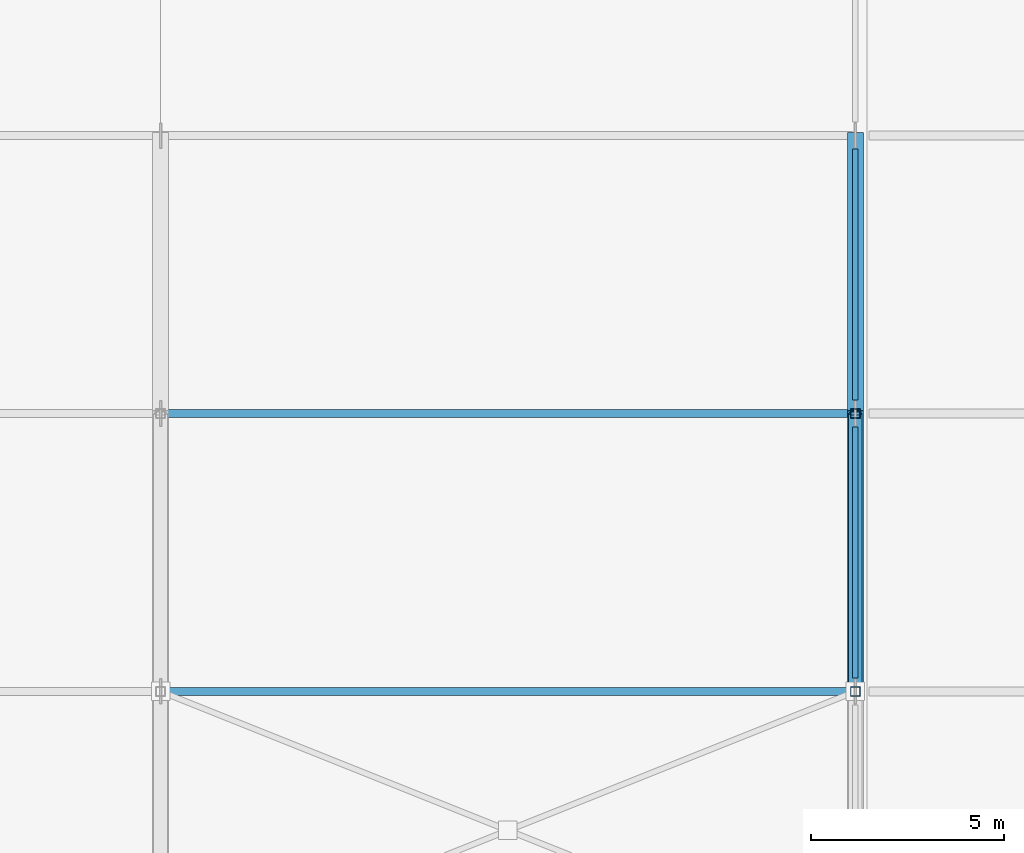
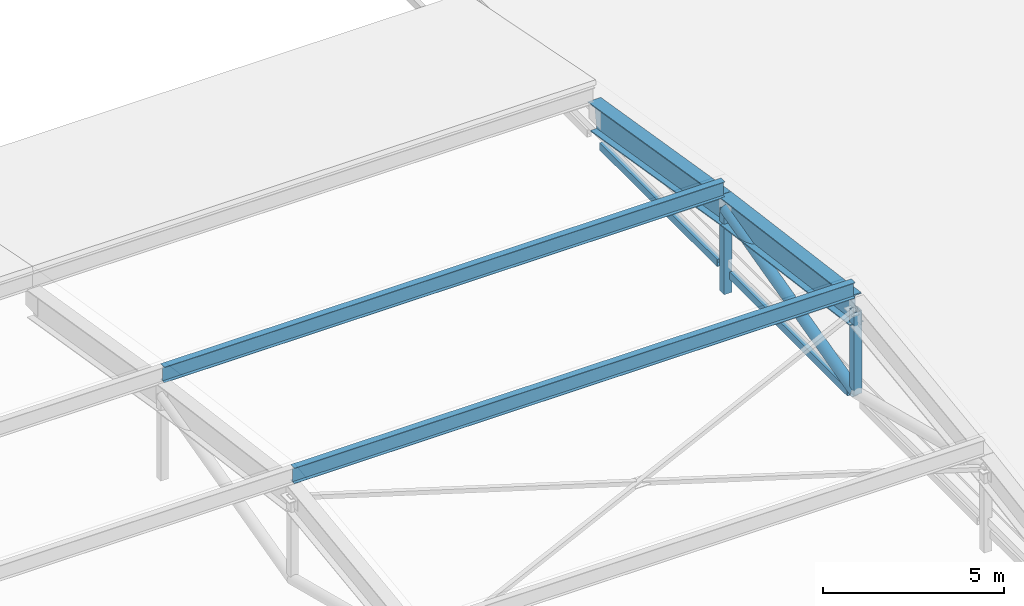
# One storey, part 21 of 78: 7 members, 2 beams.
"""IFC4 building model written with IfcOpenShell, lengths in metres."""

from ifc_helpers import new_model, si_unit, direction, frame, origin, origin_2d, place, context, subcontext, project, spatial, hollow_rectangle, hollow_circle, i_section, extrude, material, material_profile, profile_set, type_object, element, save


model = new_model("IFC4")

# Units and contexts
model_context = context("Model", 3, precision=1e-05, world=origin(), true_north=direction((0.0, 1.0)))
body_context = subcontext(model_context, "Body", "Model", "MODEL_VIEW")
ifc_project = project(units=[si_unit("LENGTHUNIT", "METRE"), si_unit("AREAUNIT", "SQUARE_METRE"), si_unit("VOLUMEUNIT", "CUBIC_METRE"), si_unit("PLANEANGLEUNIT", "RADIAN"), si_unit("MASSUNIT", "GRAM", prefix="KILO")], contexts=[model_context])

# Site, building, storey
site_placement = place(None, origin())
site = spatial("IfcSite", under=ifc_project, at=site_placement, CompositionType="ELEMENT")
building_placement = place(site_placement, origin())
building = spatial("IfcBuilding", under=site, at=building_placement, Name="Celestram Park Convention Centre", CompositionType="ELEMENT")
storey_placement = place(building_placement, frame((0.0, 0.0, 19.800048828125)))
storey = spatial("IfcBuildingStorey", under=building, at=storey_placement, Name="L04", CompositionType="ELEMENT", Elevation=19.800048828125)

# Members
ifc_material_1 = material(Name="Steel ASTM A500 Grade C", Category="steel")
ifc_material_profile_1 = material_profile(ifc_material_1, hollow_circle(Radius=0.177978515625, WallThickness=0.011962890625, at=origin_2d()), Name="CHS356X12")
ifc_profile_set_1 = profile_set([ifc_material_profile_1], Name="Steel ASTM A500 Grade C")
member_type_1 = type_object("IfcMemberType", Name="STR-BRC-CHS356", PredefinedType="BRACE", material=ifc_profile_set_1)
member_1_placement = place(storey_placement, frame((126.0, 64.800048828125, -0.171630859375), z_axis=(0.0, 0.968804355336, 0.247826796536), x_axis=(-1.0, 0.0, 0.0)))
element("IfcMember", 1, at=member_1_placement, inside=storey, type_object=member_type_1, Name="V1 arch web diagonal", PredefinedType="BRACE", context=body_context, shape_type="SweptSolid", body=[
    extrude(hollow_circle(Radius=0.177978515625, WallThickness=0.011962890625, at=origin_2d()), origin(), (0.0, 0.0, 1.0), 7.431884765625),
])
ifc_material_2 = material(Name="Steel ASTM A992 Grade 50", Category="steel")
ifc_material_profile_2 = material_profile(ifc_material_2, i_section(OverallWidth=0.4189453125, OverallDepth=0.927001953125, WebThickness=0.019287109375, FlangeThickness=0.031982421875, at=origin_2d()), Name="W36X231")
ifc_profile_set_2 = profile_set([ifc_material_profile_2], Name="Steel ASTM A992 Grade 50")
member_type_2 = type_object("IfcMemberType", Name="STR-CHD-W36X231", PredefinedType="CHORD", material=ifc_profile_set_2)
member_2_placement = place(storey_placement, frame((126.0, 64.800048828125, 2.62841796875), z_axis=(0.0, 0.991259283276, -0.131928136952), x_axis=(-1.0, 0.0, 0.0)))
element("IfcMember", 2, at=member_2_placement, inside=storey, type_object=member_type_2, Name="V1 arch top chord", PredefinedType="CHORD", context=body_context, shape_type="SweptSolid", body=[
    extrude(i_section(OverallWidth=0.4189453125, OverallDepth=0.927001953125, WebThickness=0.019287109375, FlangeThickness=0.031982421875, at=origin_2d()), origin(), (0.0, 0.0, 1.0), 7.263427734375),
])
member_3_placement = place(storey_placement, frame((126.0, 72.0, 1.670166015625), z_axis=(0.0, 0.986648621514, -0.162863432557), x_axis=(-1.0, 0.0, 0.0)))
element("IfcMember", 3, at=member_3_placement, inside=storey, type_object=member_type_2, Name="V1 arch top chord", PredefinedType="CHORD", context=body_context, shape_type="SweptSolid", body=[
    extrude(i_section(OverallWidth=0.4189453125, OverallDepth=0.927001953125, WebThickness=0.019287109375, FlangeThickness=0.031982421875, at=origin_2d()), origin(), (0.0, 0.0, 1.0), 7.29736328125),
])
ifc_material_profile_3 = material_profile(ifc_material_2, i_section(OverallWidth=0.2099609375, OverallDepth=0.532958984375, WebThickness=0.01025390625, FlangeThickness=0.015625, at=origin_2d()), Name="W21X62")
ifc_profile_set_3 = profile_set([ifc_material_profile_3], Name="Steel ASTM A992 Grade 50")
member_type_3 = type_object("IfcMemberType", Name="STR-RFT-W21X62", PredefinedType="RAFTER", material=ifc_profile_set_3)
for number, where, z_axis, x_axis, name in (
    (4, (108.0, 64.800048828125, 3.3583984375), (1.0, 0.0, 0.0), (0.0, 1.0, 0.0), "V1 roof purlin"),
    (5, (108.0, 72.0, 2.400146484375), (1.0, 0.0, 0.0), (0.0, 1.0, 0.0), "V1 roof purlin"),
):
    element("IfcMember", number, at=place(storey_placement, frame(where, z_axis=z_axis, x_axis=x_axis)), inside=storey, type_object=member_type_3, Name=name, PredefinedType="RAFTER", context=body_context, shape_type="SweptSolid", body=[
        extrude(i_section(OverallWidth=0.2099609375, OverallDepth=0.532958984375, WebThickness=0.01025390625, FlangeThickness=0.015625, at=origin_2d()), origin(), (0.0, 0.0, 1.0), 17.919921875),
    ])

# Beams
ifc_material_profile_4 = material_profile(ifc_material_1, hollow_rectangle(XDim=0.14990234375, YDim=0.25, WallThickness=0.010009765625, at=origin_2d()), Name="HSS250X150X10")
ifc_profile_set_4 = profile_set([ifc_material_profile_4], Name="Steel ASTM A500 Grade C")
beam_type = type_object("IfcBeamType", Name="STR-SPN-HSS250X150", PredefinedType="SPANDREL", material=ifc_profile_set_4)
for number, where, z_axis, x_axis, name in (
    (6, (126.0, 65.14794921875, -0.364990234375), (0.0, 1.0, 0.0), (-1.0, 0.0, 0.0), "Primary Y-girder BG-L04-0151"),
    (7, (126.0, 72.347900390625, -0.364990234375), (0.0, 1.0, 0.0), (-1.0, 0.0, 0.0), "Primary Y-girder BG-L04-0153"),
):
    element("IfcBeam", number, at=place(storey_placement, frame(where, z_axis=z_axis, x_axis=x_axis)), inside=storey, type_object=beam_type, Name=name, PredefinedType="SPANDREL", context=body_context, shape_type="SweptSolid", body=[
        extrude(hollow_rectangle(XDim=0.14990234375, YDim=0.25, WallThickness=0.010009765625, at=origin_2d()), origin(), (0.0, 0.0, 1.0), 6.504150390625),
    ])

# Members
ifc_material_profile_5 = material_profile(ifc_material_1, hollow_rectangle(XDim=0.25, YDim=0.25, WallThickness=0.011962890625, at=origin_2d()), Name="HSS250X250X12")
ifc_profile_set_5 = profile_set([ifc_material_profile_5], Name="Steel ASTM A500 Grade C")
member_type_4 = type_object("IfcMemberType", Name="STR-STR-HSS250", PredefinedType="STRUT", material=ifc_profile_set_5)
for number, where, z_axis, x_axis, name in (
    (8, (126.0, 64.800048828125, -0.171630859375), (0.0, 0.0, 1.0), (1.0, 0.0, 0.0), "V1 arch vertical strut"),
    (9, (126.0, 72.0, -1.1298828125), (0.0, 0.0, 1.0), (1.0, 0.0, 0.0), "V1 arch vertical strut"),
):
    element("IfcMember", number, at=place(storey_placement, frame(where, z_axis=z_axis, x_axis=x_axis)), inside=storey, type_object=member_type_4, Name=name, PredefinedType="STRUT", context=body_context, shape_type="SweptSolid", body=[
        extrude(hollow_rectangle(XDim=0.25, YDim=0.25, WallThickness=0.011962890625, at=origin_2d()), origin(), (0.0, 0.0, 1.0), 2.800048828125),
    ])

save(model, "model.ifc")
